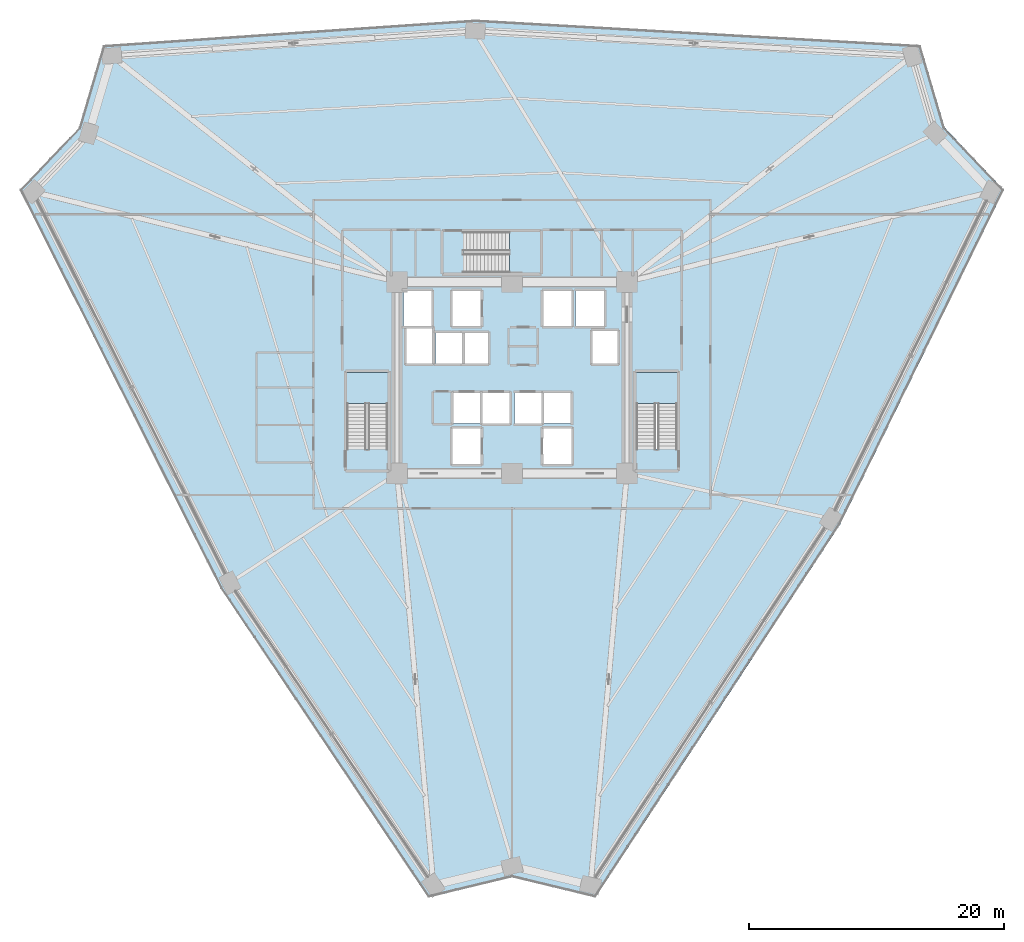
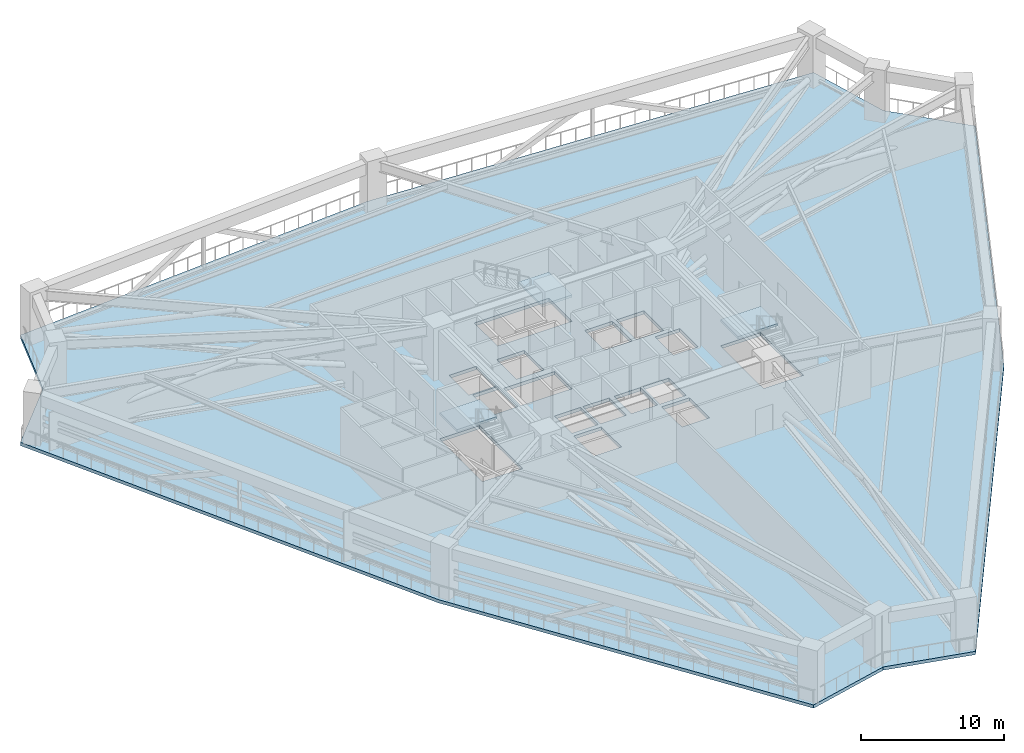
# One storey, part 12 of 25: 4 slabs, 3 elements without a shape of their own.
"""IFC4 building model written with IfcOpenShell, lengths in metres."""

from ifc_helpers import new_model, si_unit, direction, frame, origin, place, context, subcontext, project, spatial, polyline, outline, extrude, material, layer, layer_set, type_object, element, aggregate, save


model = new_model("IFC4")

# Units and contexts
model_context = context("Model", 3, precision=1e-05, world=origin(), true_north=direction((0.0, 1.0)))
body_context = subcontext(model_context, "Body", "Model", "MODEL_VIEW")
ifc_project = project(units=[si_unit("LENGTHUNIT", "METRE"), si_unit("AREAUNIT", "SQUARE_METRE"), si_unit("VOLUMEUNIT", "CUBIC_METRE"), si_unit("PLANEANGLEUNIT", "RADIAN"), si_unit("MASSUNIT", "GRAM", prefix="KILO")], contexts=[model_context])

# Site, building, storey
site_placement = place(None, origin())
site = spatial("IfcSite", under=ifc_project, at=site_placement, CompositionType="ELEMENT")
building_placement = place(site_placement, origin())
building = spatial("IfcBuilding", under=site, at=building_placement, Name="Liaohun Quay Tower", CompositionType="ELEMENT")
storey_placement = place(building_placement, frame((0.0, 0.0, 93.0)))
storey = spatial("IfcBuildingStorey", under=building, at=storey_placement, Name="L24", CompositionType="ELEMENT", Elevation=93.0)

# Stair, slab
ifc_material_1 = material(Name="Concrete C45", Category="concrete")
stair_type = type_object("IfcStairType", Name="STR-CORE-TALL", PredefinedType="HALF_TURN_STAIR", material=ifc_material_1)
stair_1_placement = place(storey_placement, origin())
stair_1 = element("IfcStair", 1, at=stair_1_placement, inside=storey, type_object=stair_type, Name="L24 Smokeproof Core Exit Stair ST-1", PredefinedType="HALF_TURN_STAIR")
ifc_layer_1 = layer(ifc_material_1, 0.199951171875, Name="Concrete C45", Category="concrete")
ifc_layer_set_1 = layer_set([ifc_layer_1], Name="Concrete C45")
slab_type_1 = type_object("IfcSlabType", Name="SLB-LND-200", PredefinedType="LANDING", material=ifc_layer_set_1)
slab_1_placement = place(storey_placement, frame((0.0, 0.0, 2.050048828125)))
slab_1 = element("IfcSlab", 2, at=slab_1_placement, type_object=slab_type_1, Name="ST-1 landing 1", PredefinedType="LANDING", context=body_context, shape_type="SweptSolid", body=[
    extrude(outline(polyline([(50.280029296875, 51.989990234375), (50.280029296875, 54.419921875), (47.0400390625, 54.419921875), (47.0400390625, 51.989990234375), (50.280029296875, 51.989990234375)])), origin(), (0.0, 0.0, 1.0), 0.199951171875),
])
aggregate(stair_1, [slab_1])

stair_2_placement = place(storey_placement, origin())
stair_2 = element("IfcStair", 3, at=stair_2_placement, inside=storey, type_object=stair_type, Name="L24 Smokeproof Core Exit Stair ST-2", PredefinedType="HALF_TURN_STAIR")
slab_2_placement = place(storey_placement, frame((0.0, 0.0, 2.050048828125)))
slab_2 = element("IfcSlab", 4, at=slab_2_placement, type_object=slab_type_1, Name="ST-2 landing 1", PredefinedType="LANDING", context=body_context, shape_type="SweptSolid", body=[
    extrude(outline(polyline([(72.9599609375, 51.989990234375), (72.9599609375, 54.419921875), (69.719970703125, 54.419921875), (69.719970703125, 51.989990234375), (72.9599609375, 51.989990234375)])), origin(), (0.0, 0.0, 1.0), 0.199951171875),
])
aggregate(stair_2, [slab_2])

stair_3_placement = place(storey_placement, origin())
stair_3 = element("IfcStair", 5, at=stair_3_placement, inside=storey, type_object=stair_type, Name="L24 Smokeproof Core Exit Stair ST-3", PredefinedType="HALF_TURN_STAIR")
slab_3_placement = place(storey_placement, frame((0.0, 0.0, 2.050048828125)))
slab_3 = element("IfcSlab", 6, at=slab_3_placement, type_object=slab_type_1, Name="ST-3 landing 1", PredefinedType="LANDING", context=body_context, shape_type="SweptSolid", body=[
    extrude(outline(polyline([(59.7900390625, 62.199951171875), (62.219970703125, 62.199951171875), (62.219970703125, 65.43994140625), (59.7900390625, 65.43994140625), (59.7900390625, 62.199951171875)])), origin(), (0.0, 0.0, 1.0), 0.199951171875),
])
aggregate(stair_3, [slab_3])

# Slab
ifc_material_2 = material(Name="Concrete C50", Category="concrete")
ifc_layer_2 = layer(ifc_material_2, 0.280029296875, Name="Concrete C50", Category="concrete")
ifc_layer_set_2 = layer_set([ifc_layer_2], Name="Concrete C50")
slab_type_2 = type_object("IfcSlabType", Name="SLB-REF-280", PredefinedType="FLOOR", material=ifc_layer_set_2)
slab_4_placement = place(storey_placement, frame((0.0, 0.0, -0.280029296875)))
element("IfcSlab", 7, at=slab_4_placement, inside=storey, type_object=slab_type_2, Name="L24 Structural Floor Slab", PredefinedType="FLOOR", context=body_context, shape_type="SweptSolid", body=[
    extrude(outline(polyline([(53.462890625, 13.261962890625), (60.0, 14.841064453125), (66.537109375, 13.261962890625), (85.70703125, 42.485107421875), (98.549072265625, 68.70703125), (93.912109375, 73.5791015625), (92.010986328125, 80.030029296875), (57.118896484375, 82.02001953125), (27.989013671875, 80.030029296875), (26.087890625, 73.5791015625), (21.450927734375, 68.70703125), (37.174072265625, 37.4951171875), (53.462890625, 13.261962890625)]), holes=[polyline([(57.56005859375, 47.2099609375), (57.56005859375, 50.030029296875), (55.340087890625, 50.030029296875), (55.340087890625, 47.2099609375), (57.56005859375, 47.2099609375)]), polyline([(50.280029296875, 54.419921875), (47.0400390625, 54.419921875), (47.0400390625, 48.409912109375), (50.280029296875, 48.409912109375), (50.280029296875, 54.419921875)]), polyline([(57.510009765625, 50.389892578125), (57.510009765625, 52.81005859375), (55.389892578125, 52.81005859375), (55.389892578125, 50.389892578125), (57.510009765625, 50.389892578125)]), polyline([(59.81005859375, 50.389892578125), (59.81005859375, 52.81005859375), (57.68994140625, 52.81005859375), (57.68994140625, 50.389892578125), (59.81005859375, 50.389892578125)]), polyline([(58.110107421875, 57.510009765625), (53.989990234375, 57.510009765625), (53.989990234375, 55.090087890625), (58.110107421875, 55.090087890625), (58.110107421875, 57.510009765625)]), polyline([(53.760009765625, 55.090087890625), (53.760009765625, 57.909912109375), (51.7099609375, 57.909912109375), (51.7099609375, 55.090087890625), (53.760009765625, 55.090087890625)]), polyline([(53.7099609375, 58.0400390625), (53.7099609375, 60.7900390625), (51.489990234375, 60.7900390625), (51.489990234375, 58.0400390625), (53.7099609375, 58.0400390625)]), polyline([(57.56005859375, 58.0400390625), (57.56005859375, 60.7900390625), (55.340087890625, 60.7900390625), (55.340087890625, 58.0400390625), (57.56005859375, 58.0400390625)]), polyline([(64.659912109375, 47.2099609375), (64.659912109375, 50.030029296875), (62.43994140625, 50.030029296875), (62.43994140625, 47.2099609375), (64.659912109375, 47.2099609375)]), polyline([(72.9599609375, 54.419921875), (69.719970703125, 54.419921875), (69.719970703125, 48.409912109375), (72.9599609375, 48.409912109375), (72.9599609375, 54.419921875)]), polyline([(62.31005859375, 50.389892578125), (62.31005859375, 52.81005859375), (60.18994140625, 52.81005859375), (60.18994140625, 50.389892578125), (62.31005859375, 50.389892578125)]), polyline([(64.610107421875, 50.389892578125), (64.610107421875, 52.81005859375), (62.489990234375, 52.81005859375), (62.489990234375, 50.389892578125), (64.610107421875, 50.389892578125)]), polyline([(68.2900390625, 55.090087890625), (68.2900390625, 57.659912109375), (66.2900390625, 57.659912109375), (66.2900390625, 55.090087890625), (68.2900390625, 55.090087890625)]), polyline([(64.659912109375, 58.0400390625), (64.659912109375, 60.7900390625), (62.43994140625, 60.7900390625), (62.43994140625, 58.0400390625), (64.659912109375, 58.0400390625)]), polyline([(64.989990234375, 58.0400390625), (67.2099609375, 58.0400390625), (67.2099609375, 60.7900390625), (64.989990234375, 60.7900390625), (64.989990234375, 58.0400390625)]), polyline([(56.2099609375, 62.199951171875), (62.219970703125, 62.199951171875), (62.219970703125, 65.43994140625), (56.2099609375, 65.43994140625), (56.2099609375, 62.199951171875)])]), origin(), (0.0, 0.0, 1.0), 0.280029296875),
])

save(model, "model.ifc")
